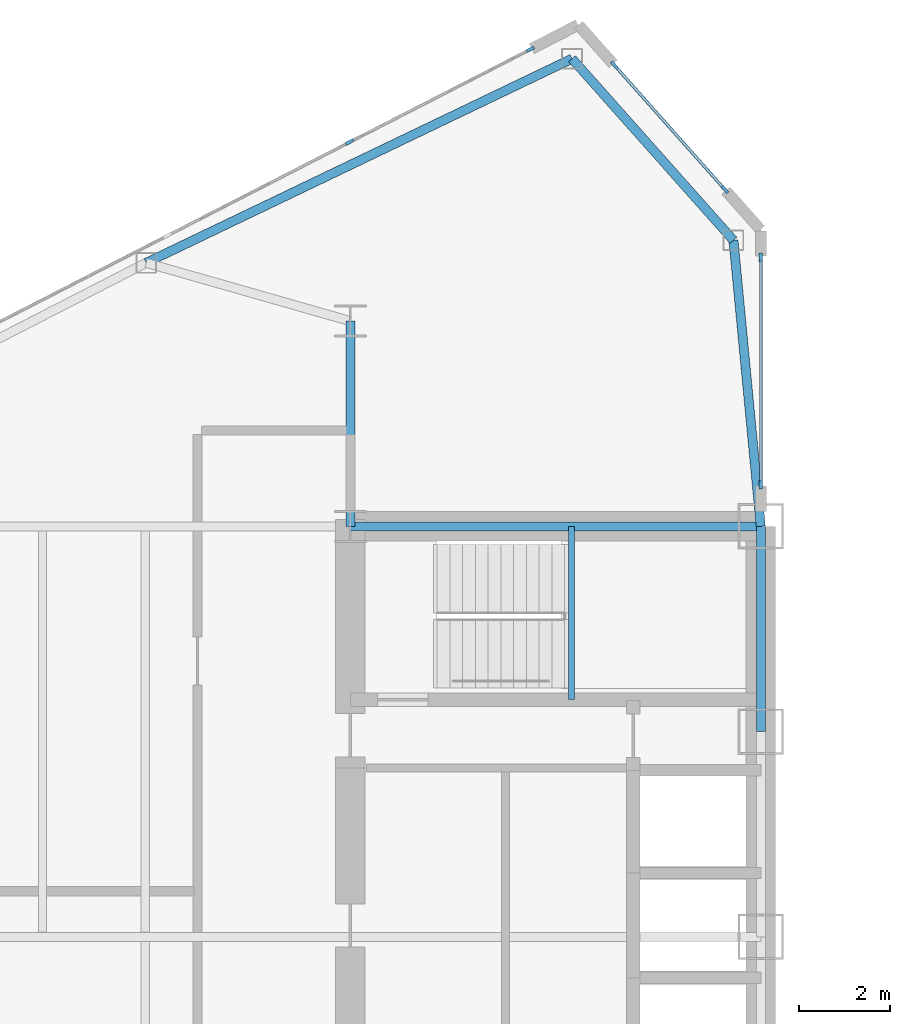
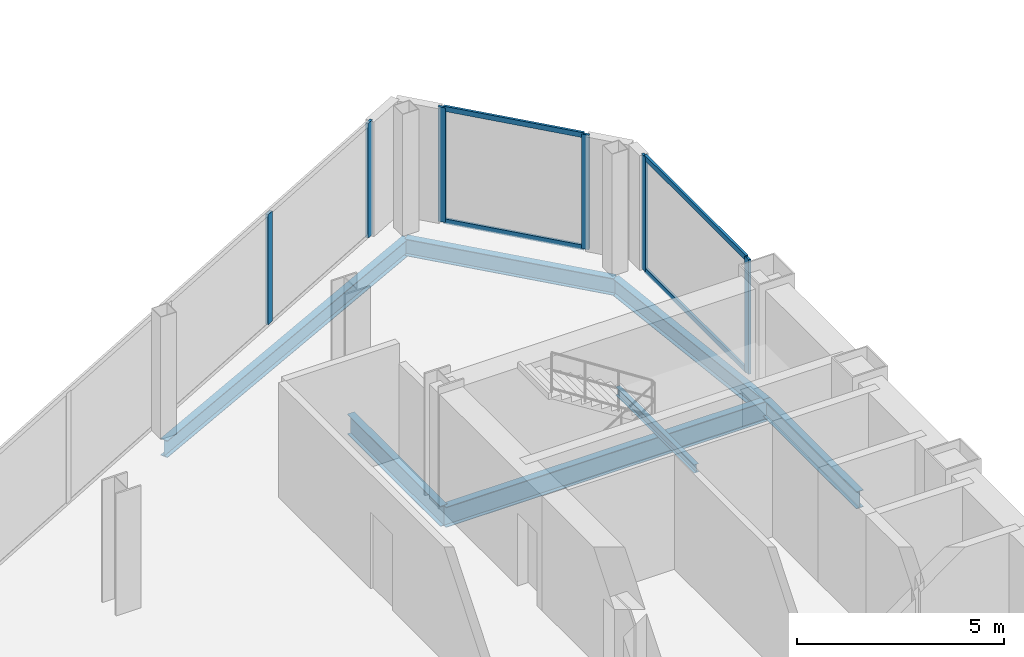
# One storey, part 7 of 23: 10 members, 7 beams, 3 elements without a shape of their own.
"""IFC4 building model written with IfcOpenShell, lengths in metres."""

from ifc_helpers import new_model, si_unit, direction, frame, origin, origin_2d, place, context, subcontext, project, spatial, rectangle, i_section, extrude, source, transform, mapped, material, layer, layer_set, material_profile, profile_set, type_object, type_shapes, element, aggregate, save


model = new_model("IFC4")

# Units and contexts
model_context = context("Model", 3, precision=1e-05, world=origin(), true_north=direction((0.0, 1.0)))
body_context = subcontext(model_context, "Body", "Model", "MODEL_VIEW")
ifc_project = project(units=[si_unit("LENGTHUNIT", "METRE"), si_unit("AREAUNIT", "SQUARE_METRE"), si_unit("VOLUMEUNIT", "CUBIC_METRE"), si_unit("PLANEANGLEUNIT", "RADIAN"), si_unit("MASSUNIT", "GRAM", prefix="KILO")], contexts=[model_context])

# Site, building, storey
site_placement = place(None, origin())
site = spatial("IfcSite", under=ifc_project, at=site_placement, CompositionType="ELEMENT")
building_placement = place(site_placement, origin())
building = spatial("IfcBuilding", under=site, at=building_placement, Name="Seokmaru Belvedere", CompositionType="ELEMENT")
storey_placement = place(building_placement, frame((0.0, 0.0, 128.39990234375)))
storey = spatial("IfcBuildingStorey", under=building, at=storey_placement, Name="L34", CompositionType="ELEMENT", Elevation=128.39990234375)

# Beams
ifc_material_1 = material(Name="Steel SM355 (355 MPa)", Category="steel")
ifc_material_profile_1 = material_profile(ifc_material_1, i_section(OverallWidth=0.199951171875, OverallDepth=0.5, WebThickness=0.010009765625, FlangeThickness=0.01611328125, at=origin_2d()), Name="H-500x200x10x16")
ifc_profile_set_1 = profile_set([ifc_material_profile_1], Name="Steel SM355 (355 MPa)")
beam_type_1 = type_object("IfcBeamType", Name="Perimeter Spandrel Beam H-500", PredefinedType="SPANDREL", material=ifc_profile_set_1)
shared_shape_1 = source(origin(), body_context, "Body", "SweptSolid", [
    extrude(i_section(OverallWidth=0.199951171875, OverallDepth=0.5, WebThickness=0.010009765625, FlangeThickness=0.01611328125, at=origin_2d()), origin(), (0.0, 0.0, 1.0), 4.5),
])
beam_1_placement = place(storey_placement, frame((-27.5, 9.0, -0.469970703125), z_axis=(0.0, 1.0, 0.0), x_axis=(-1.0, 0.0, 0.0)))
element("IfcBeam", 1, at=beam_1_placement, inside=storey, type_object=beam_type_1, Name="L34 W Portal Spine Spandrel 5", PredefinedType="SPANDREL", context=body_context, shape_type="MappedRepresentation", body=[
    mapped(shared_shape_1, transform((0.0, 0.0, 0.0), scale=1.0)),
])
ifc_material_profile_2 = material_profile(ifc_material_1, i_section(OverallWidth=0.199951171875, OverallDepth=0.60009765625, WebThickness=0.010986328125, FlangeThickness=0.01708984375, at=origin_2d()), Name="H-600x200x11x17")
ifc_profile_set_2 = profile_set([ifc_material_profile_2], Name="Steel SM355 (355 MPa)")
beam_type_2 = type_object("IfcBeamType", Name="Primary Floor Girder H-600", PredefinedType="BEAM", material=ifc_profile_set_2)
shared_shape_2 = source(origin(), body_context, "Body", "SweptSolid", [
    extrude(i_section(OverallWidth=0.199951171875, OverallDepth=0.60009765625, WebThickness=0.010986328125, FlangeThickness=0.01708984375, at=origin_2d()), origin(), (0.0, 0.0, 1.0), 9.0),
])
beam_2_placement = place(storey_placement, frame((-36.5, 13.5, -0.52001953125), z_axis=(1.0, 0.0, 0.0), x_axis=(0.0, 1.0, 0.0)))
element("IfcBeam", 2, at=beam_2_placement, inside=storey, type_object=beam_type_2, Name="L34 W Core Tie Girder 4", PredefinedType="BEAM", context=body_context, shape_type="MappedRepresentation", body=[
    mapped(shared_shape_2, transform((0.0, 0.0, 0.0), scale=1.0)),
])
shared_shape_3 = source(origin(), body_context, "Body", "SweptSolid", [
    extrude(i_section(OverallWidth=0.199951171875, OverallDepth=0.60009765625, WebThickness=0.010986328125, FlangeThickness=0.01708984375, at=origin_2d()), origin(), (0.0, 0.0, 1.0), 4.5),
])
type_shapes(beam_type_2, [shared_shape_2, shared_shape_3])
beam_3_placement = place(storey_placement, frame((-36.5, 13.5, -0.52001953125), z_axis=(0.0, 1.0, 0.0), x_axis=(-1.0, 0.0, 0.0)))
element("IfcBeam", 3, at=beam_3_placement, inside=storey, type_object=beam_type_2, Name="L34 W Core Shoulder Girder N", PredefinedType="BEAM", context=body_context, shape_type="MappedRepresentation", body=[
    mapped(shared_shape_3, transform((0.0, 0.0, 0.0), scale=1.0)),
])
shared_shape_4 = source(origin(), body_context, "Body", "SweptSolid", [
    extrude(i_section(OverallWidth=0.199951171875, OverallDepth=0.5, WebThickness=0.010009765625, FlangeThickness=0.01611328125, at=origin_2d()), origin(), (0.0, 0.0, 1.0), 10.353759765625),
])
beam_4_placement = place(storey_placement, frame((-31.6396484375, 23.75390625, -0.469970703125), z_axis=(-0.901713202822, -0.432334708134, 0.0), x_axis=(0.432334708134, -0.901713202822, 0.0)))
element("IfcBeam", 4, at=beam_4_placement, inside=storey, type_object=beam_type_1, Name="L34 W Faceted Flank Spandrel N-1", PredefinedType="SPANDREL", context=body_context, shape_type="MappedRepresentation", body=[
    mapped(shared_shape_4, transform((0.0, 0.0, 0.0), scale=1.0)),
])
shared_shape_5 = source(origin(), body_context, "Body", "SweptSolid", [
    extrude(i_section(OverallWidth=0.199951171875, OverallDepth=0.5, WebThickness=0.010009765625, FlangeThickness=0.01611328125, at=origin_2d()), origin(), (0.0, 0.0, 1.0), 5.32763671875),
])
beam_5_placement = place(storey_placement, frame((-31.6396484375, 23.75390625, -0.469970703125), z_axis=(0.66436952742, -0.74740426212, 0.0), x_axis=(0.74740426212, 0.66436952742, 0.0)))
element("IfcBeam", 5, at=beam_5_placement, inside=storey, type_object=beam_type_1, Name="L34 W Shoulder Chamfer Spandrel N", PredefinedType="SPANDREL", context=body_context, shape_type="MappedRepresentation", body=[
    mapped(shared_shape_5, transform((0.0, 0.0, 0.0), scale=1.0)),
])
shared_shape_6 = source(origin(), body_context, "Body", "SweptSolid", [
    extrude(i_section(OverallWidth=0.199951171875, OverallDepth=0.5, WebThickness=0.010009765625, FlangeThickness=0.01611328125, at=origin_2d()), origin(), (0.0, 0.0, 1.0), 6.300537109375),
])
type_shapes(beam_type_1, [shared_shape_1, shared_shape_4, shared_shape_5, shared_shape_6])
beam_6_placement = place(storey_placement, frame((-28.10009765625, 19.77197265625, -0.469970703125), z_axis=(0.095244287992, -0.995453929424, 0.0), x_axis=(0.995453929424, 0.095244287992, 0.0)))
element("IfcBeam", 6, at=beam_6_placement, inside=storey, type_object=beam_type_1, Name="L34 W Shoulder Spine Spandrel N", PredefinedType="SPANDREL", context=body_context, shape_type="MappedRepresentation", body=[
    mapped(shared_shape_6, transform((0.0, 0.0, 0.0), scale=1.0)),
])

# Curtain wall, members
ifc_material_2 = material(Name="Bronze Triple Insulating Glass", Category="glass")
ifc_layer = layer(ifc_material_2, 0.195068359375)
ifc_layer_set = layer_set([ifc_layer], Name="Bronze Triple Insulating Glass")
curtain_wall_type = type_object("IfcCurtainWallType", Name="Sky-Lobby and Mid-Rise Curtain Wall System CW-4", PredefinedType="NOTDEFINED", material=ifc_layer_set)
curtain_wall_1_placement = place(storey_placement, origin())
curtain_wall_1 = element("IfcCurtainWall", 7, at=curtain_wall_1_placement, inside=storey, type_object=curtain_wall_type, Name="L34 Curtain Wall WSP_2", PredefinedType="NOTDEFINED")
ifc_material_3 = material(Name="Anodised Bronze Aluminium", Category="aluminium")
ifc_material_profile_3 = material_profile(ifc_material_3, rectangle(XDim=0.070068359375, YDim=0.195068359375, at=origin_2d()), Name="CW-M-70x195")
ifc_profile_set_3 = profile_set([ifc_material_profile_3], Name="Anodised Bronze Aluminium")
member_type_1 = type_object("IfcMemberType", Name="Bronze Unitised Mullion 70x195", PredefinedType="MULLION", material=ifc_profile_set_3)
shared_shape_7 = source(origin(), body_context, "Body", "SweptSolid", [
    extrude(rectangle(XDim=0.070068359375, YDim=0.195068359375, at=origin_2d()), origin(), (0.0, 0.0, 1.0), 3.380126953125),
])
member_1_placement = place(storey_placement, frame((-27.5, 14.4150390625, 0.0), z_axis=(0.0, 0.0, 1.0), x_axis=(-1.0, 0.0, 0.0)))
member_1 = element("IfcMember", 8, at=member_1_placement, type_object=member_type_1, Name="CW:L34:WSP_2 Mullion 1", PredefinedType="MULLION", context=body_context, shape_type="MappedRepresentation", body=[
    mapped(shared_shape_7, transform((0.0, 0.0, 0.0), scale=1.0)),
])
member_2_placement = place(storey_placement, frame((-27.5, 19.39501953125, 0.0), z_axis=(0.0, 0.0, 1.0), x_axis=(-1.0, 0.0, 0.0)))
member_2 = element("IfcMember", 9, at=member_2_placement, type_object=member_type_1, Name="CW:L34:WSP_2 Mullion 2", PredefinedType="MULLION", context=body_context, shape_type="MappedRepresentation", body=[
    mapped(shared_shape_7, transform((0.0, 0.0, 0.0), scale=1.0)),
])

curtain_wall_2_placement = place(storey_placement, origin())
curtain_wall_2 = element("IfcCurtainWall", 10, at=curtain_wall_2_placement, inside=storey, type_object=curtain_wall_type, Name="L34 Curtain Wall WF2", PredefinedType="NOTDEFINED")
member_3_placement = place(storey_placement, frame((-28.287353515625, 20.8857421875, 0.0), z_axis=(0.0, 0.0, 1.0), x_axis=(-0.747409774804, -0.664363325694, 0.0)))
member_3 = element("IfcMember", 11, at=member_3_placement, type_object=member_type_1, Name="CW:L34:WF2 Mullion 1", PredefinedType="MULLION", context=body_context, shape_type="MappedRepresentation", body=[
    mapped(shared_shape_7, transform((0.0, 0.0, 0.0), scale=1.0)),
])
member_4_placement = place(storey_placement, frame((-30.712646484375, 23.6142578125, 0.0), z_axis=(0.0, 0.0, 1.0), x_axis=(-0.747409774804, -0.664363325694, 0.0)))
member_4 = element("IfcMember", 12, at=member_4_placement, type_object=member_type_1, Name="CW:L34:WF2 Mullion 2", PredefinedType="MULLION", context=body_context, shape_type="MappedRepresentation", body=[
    mapped(shared_shape_7, transform((0.0, 0.0, 0.0), scale=1.0)),
])

# Curtain wall, member
curtain_wall_3_placement = place(storey_placement, origin())
curtain_wall_3 = element("IfcCurtainWall", 13, at=curtain_wall_3_placement, inside=storey, type_object=curtain_wall_type, Name="L34 Curtain Wall WF3", PredefinedType="NOTDEFINED")
member_5_placement = place(storey_placement, frame((-32.55419921875, 23.958984375, 0.0), z_axis=(0.0, 0.0, 1.0), x_axis=(0.456554528263, -0.889695432562, 0.0)))
member_5 = element("IfcMember", 14, at=member_5_placement, type_object=member_type_1, Name="CW:L34:WF3 Mullion 1", PredefinedType="MULLION", context=body_context, shape_type="MappedRepresentation", body=[
    mapped(shared_shape_7, transform((0.0, 0.0, 0.0), scale=1.0)),
])

# Member
ifc_material_profile_4 = material_profile(ifc_material_3, rectangle(XDim=0.06494140625, YDim=0.14990234375, at=origin_2d()), Name="CW-T-65x150")
ifc_profile_set_4 = profile_set([ifc_material_profile_4], Name="Anodised Bronze Aluminium")
member_type_2 = type_object("IfcMemberType", Name="Bronze Unitised Transom 65x150", PredefinedType="USERDEFINED", material=ifc_profile_set_4)
shared_shape_8 = source(origin(), body_context, "Body", "SweptSolid", [
    extrude(rectangle(XDim=0.06494140625, YDim=0.14990234375, at=origin_2d()), origin(), (0.0, 0.0, 1.0), 4.91015625),
])
member_6_placement = place(storey_placement, frame((-27.5, 14.449951171875, 0.03271484375), z_axis=(0.0, 1.0, 0.0), x_axis=(-1.0, 0.0, 0.0)))
member_6 = element("IfcMember", 15, at=member_6_placement, type_object=member_type_2, Name="CW:L34:WSP_2 Continuous Transom 1", ObjectType="TRANSOM", PredefinedType="USERDEFINED", context=body_context, shape_type="MappedRepresentation", body=[
    mapped(shared_shape_8, transform((0.0, 0.0, 0.0), scale=1.0)),
])

member_7_placement = place(storey_placement, frame((-27.5, 14.449951171875, 3.34765625), z_axis=(0.0, 1.0, 0.0), x_axis=(-1.0, 0.0, 0.0)))
member_7 = element("IfcMember", 16, at=member_7_placement, type_object=member_type_2, Name="CW:L34:WSP_2 Continuous Transom 2", ObjectType="TRANSOM", PredefinedType="USERDEFINED", context=body_context, shape_type="MappedRepresentation", body=[
    mapped(shared_shape_8, transform((0.0, 0.0, 0.0), scale=1.0)),
])

aggregate(curtain_wall_1, [member_1, member_2, member_6, member_7])

shared_shape_9 = source(origin(), body_context, "Body", "SweptSolid", [
    extrude(rectangle(XDim=0.06494140625, YDim=0.14990234375, at=origin_2d()), origin(), (0.0, 0.0, 1.0), 3.580810546875),
])
type_shapes(member_type_2, [shared_shape_8, shared_shape_9])
member_8_placement = place(storey_placement, frame((-28.310546875, 20.911865234375, 0.03271484375), z_axis=(-0.66436383883, 0.747409318684, 0.0), x_axis=(-0.747409318684, -0.66436383883, 0.0)))
member_8 = element("IfcMember", 17, at=member_8_placement, type_object=member_type_2, Name="CW:L34:WF2 Continuous Transom 1", ObjectType="TRANSOM", PredefinedType="USERDEFINED", context=body_context, shape_type="MappedRepresentation", body=[
    mapped(shared_shape_9, transform((0.0, 0.0, 0.0), scale=1.0)),
])

member_9_placement = place(storey_placement, frame((-28.310546875, 20.911865234375, 3.34765625), z_axis=(-0.66436383883, 0.747409318684, 0.0), x_axis=(-0.747409318684, -0.66436383883, 0.0)))
member_9 = element("IfcMember", 18, at=member_9_placement, type_object=member_type_2, Name="CW:L34:WF2 Continuous Transom 2", ObjectType="TRANSOM", PredefinedType="USERDEFINED", context=body_context, shape_type="MappedRepresentation", body=[
    mapped(shared_shape_9, transform((0.0, 0.0, 0.0), scale=1.0)),
])

aggregate(curtain_wall_2, [member_3, member_4, member_8, member_9])

shared_shape_10 = source(origin(), body_context, "Body", "SweptSolid", [
    extrude(rectangle(XDim=0.070068359375, YDim=0.195068359375, at=origin_2d()), origin(), (0.0, 0.0, 1.0), 3.25),
])
type_shapes(member_type_1, [shared_shape_7, shared_shape_10])
member_10_placement = place(storey_placement, frame((-36.51806640625, 21.925048828125, 0.065185546875), z_axis=(0.0, 0.0, 1.0), x_axis=(0.456554528263, -0.889695432562, 0.0)))
member_10 = element("IfcMember", 19, at=member_10_placement, type_object=member_type_1, Name="CW:L34:WF3 Mullion 2", PredefinedType="MULLION", context=body_context, shape_type="MappedRepresentation", body=[
    mapped(shared_shape_10, transform((0.0, 0.0, 0.0), scale=1.0)),
])

aggregate(curtain_wall_3, [member_5, member_10])

# Beam
ifc_material_profile_5 = material_profile(ifc_material_1, i_section(OverallWidth=0.125, OverallDepth=0.25, WebThickness=0.006103515625, FlangeThickness=0.009033203125, at=origin_2d()), Name="H-250x125x6x9")
ifc_profile_set_5 = profile_set([ifc_material_profile_5], Name="Steel SM355 (355 MPa)")
beam_type_3 = type_object("IfcBeamType", Name="Stair Mid-Landing Support Beam H-250", PredefinedType="JOIST", material=ifc_profile_set_5)
shared_shape_11 = source(origin(), body_context, "Body", "SweptSolid", [
    extrude(i_section(OverallWidth=0.125, OverallDepth=0.25, WebThickness=0.006103515625, FlangeThickness=0.009033203125, at=origin_2d()), origin(), (0.0, 0.0, 1.0), 3.800048828125),
])
type_shapes(beam_type_3, [shared_shape_11])
beam_7_placement = place(storey_placement, frame((-31.64990234375, 9.699951171875, 1.47509765625), z_axis=(0.0, 1.0, 0.0), x_axis=(-1.0, 0.0, 0.0)))
element("IfcBeam", 20, at=beam_7_placement, inside=storey, type_object=beam_type_3, Name="L34 Stair ST-W2 Mid-Landing Support Beam 1", PredefinedType="JOIST", context=body_context, shape_type="MappedRepresentation", body=[
    mapped(shared_shape_11, transform((0.0, 0.0, 0.0), scale=1.0)),
])

save(model, "model.ifc")
